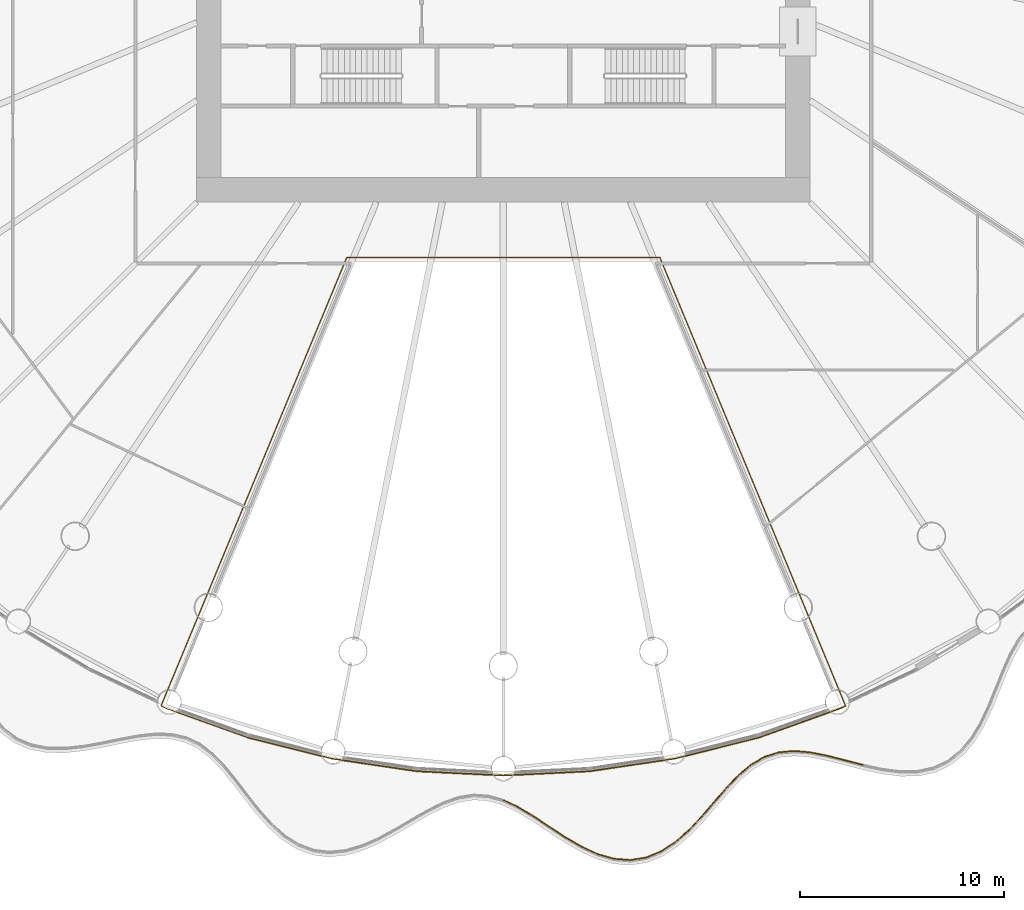
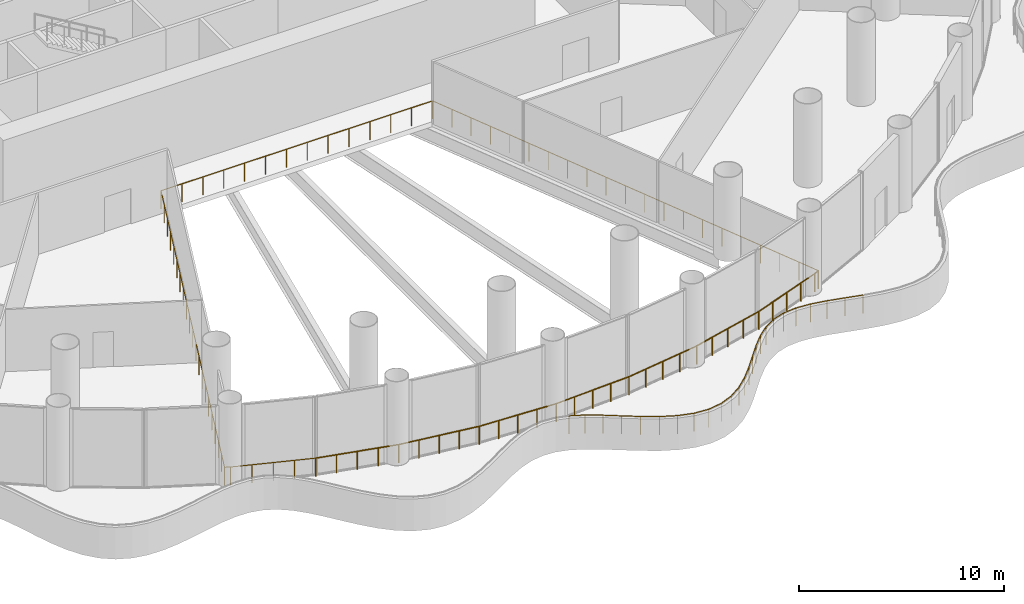
# One storey, part 30 of 36: 3 railings.
"""IFC4 building model written with IfcOpenShell, lengths in metres."""

from ifc_helpers import new_model, si_unit, direction, frame, origin, origin_2d, place, context, subcontext, project, spatial, circle, extrude, material, type_object, element, save


model = new_model("IFC4")

# Units and contexts
model_context = context("Model", 3, precision=1e-05, world=origin(), true_north=direction((0.0, 1.0)))
body_context = subcontext(model_context, "Body", "Model", "MODEL_VIEW")
ifc_project = project(units=[si_unit("LENGTHUNIT", "METRE"), si_unit("AREAUNIT", "SQUARE_METRE"), si_unit("VOLUMEUNIT", "CUBIC_METRE"), si_unit("PLANEANGLEUNIT", "RADIAN"), si_unit("MASSUNIT", "GRAM", prefix="KILO")], contexts=[model_context])

# Site, building, storey
site_placement = place(None, origin())
site = spatial("IfcSite", under=ifc_project, at=site_placement, CompositionType="ELEMENT")
building_placement = place(site_placement, origin())
building = spatial("IfcBuilding", under=site, at=building_placement, Name="Corvane Civic Tower", CompositionType="ELEMENT")
storey_placement = place(building_placement, frame((0.0, 0.0, 17.0)))
storey = spatial("IfcBuildingStorey", under=building, at=storey_placement, Name="L03", CompositionType="ELEMENT", Elevation=17.0)

# Railings
ifc_material_1 = material(Name="Steel ASTM A572 Gr 50", Category="steel")
railing_type_1 = type_object("IfcRailingType", Name="PODIUM-RL-GUARD-1100", PredefinedType="GUARDRAIL", material=ifc_material_1)
railing_1_placement = place(storey_placement, frame((0.022705078125, -44.261962890625, 0.0)))
element("IfcRailing", 1, at=railing_1_placement, inside=storey, type_object=railing_type_1, Name="L03 ribbon guard 9", PredefinedType="GUARDRAIL", context=body_context, shape_type="SweptSolid", body=[
    extrude(circle(Radius=0.02392578125, at=origin_2d()), frame((0.0, 0.0, 1.076171875), z_axis=(0.904556619747, -0.42635351725, 0.0), x_axis=(0.42635351725, 0.904556619747, 0.0)), (0.0, 0.0, 1.0), 0.78173828125),
    extrude(circle(Radius=0.02392578125, at=origin_2d()), frame((0.70703125, -0.333251953125, 1.076171875), z_axis=(0.857071265822, -0.515197870048, 0.0), x_axis=(0.515197870048, 0.857071265822, 0.0)), (0.0, 0.0, 1.0), 0.869140625),
    extrude(circle(Radius=0.02392578125, at=origin_2d()), frame((1.451904296875, -0.781005859375, 1.076171875), z_axis=(0.833278542405, -0.552853389939, 0.0), x_axis=(0.552853389939, 0.833278542405, 0.0)), (0.0, 0.0, 1.0), 0.915771484375),
    extrude(circle(Radius=0.02392578125, at=origin_2d()), frame((2.215087890625, -1.287353515625, 1.076171875), z_axis=(0.835928065032, -0.548839020198, 0.0), x_axis=(0.548839020198, 0.835928065032, 0.0)), (0.0, 0.0, 1.0), 0.9345703125),
    extrude(circle(Radius=0.02392578125, at=origin_2d()), frame((2.996337890625, -1.80029296875, 1.076171875), z_axis=(0.863000398501, -0.505203238497, 0.0), x_axis=(0.505203238497, 0.863000398501, 0.0)), (0.0, 0.0, 1.0), 0.922607421875),
    extrude(circle(Radius=0.02392578125, at=origin_2d()), frame((3.79248046875, -2.266357421875, 1.076171875), z_axis=(0.909047390124, -0.416692743529, 0.0), x_axis=(0.416692743529, 0.909047390124, 0.0)), (0.0, 0.0, 1.0), 0.884033203125),
    extrude(circle(Radius=0.02392578125, at=origin_2d()), frame((4.59619140625, -2.634765625, 1.076171875), z_axis=(0.96138033596, -0.275223272327, 0.0), x_axis=(0.275223272327, 0.96138033596, 0.0)), (0.0, 0.0, 1.0), 0.834716796875),
    extrude(circle(Radius=0.02392578125, at=origin_2d()), frame((5.398681640625, -2.864501953125, 1.076171875), z_axis=(0.997036356128, -0.076931817602, 0.0), x_axis=(0.076931817602, 0.997036356128, 0.0)), (0.0, 0.0, 1.0), 0.79345703125),
    extrude(circle(Radius=0.02392578125, at=origin_2d()), frame((6.189697265625, -2.925537109375, 1.076171875), z_axis=(0.987740079957, 0.156107445198, 0.0), x_axis=(-0.156107445198, 0.987740079957, 0.0)), (0.0, 0.0, 1.0), 0.77880859375),
    extrude(circle(Radius=0.02392578125, at=origin_2d()), frame((6.958984375, -2.803955078125, 1.076171875), z_axis=(0.925945868411, 0.377656257426, 0.0), x_axis=(-0.377656257426, 0.925945868411, 0.0)), (0.0, 0.0, 1.0), 0.79833984375),
    extrude(circle(Radius=0.02392578125, at=origin_2d()), frame((7.6982421875, -2.50244140625, 1.076171875), z_axis=(0.835511617619, 0.549472780786, 0.0), x_axis=(-0.549472780786, 0.835511617619, 0.0)), (0.0, 0.0, 1.0), 0.842529296875),
    extrude(circle(Radius=0.02392578125, at=origin_2d()), frame((8.402099609375, -2.03955078125, 1.076171875), z_axis=(0.748797877953, 0.662798414281, 0.0), x_axis=(-0.662798414281, 0.748797877953, 0.0)), (0.0, 0.0, 1.0), 0.891357421875),
    extrude(circle(Radius=0.02392578125, at=origin_2d()), frame((9.069580078125, -1.44873046875, 1.076171875), z_axis=(0.684896018256, 0.72864081973, 0.0), x_axis=(-0.72864081973, 0.684896018256, 0.0)), (0.0, 0.0, 1.0), 0.926513671875),
    extrude(circle(Radius=0.02392578125, at=origin_2d()), frame((9.7041015625, -0.773681640625, 1.076171875), z_axis=(0.652039268828, 0.758185196312, 0.0), x_axis=(-0.758185196312, 0.652039268828, 0.0)), (0.0, 0.0, 1.0), 0.933837890625),
    extrude(circle(Radius=0.02392578125, at=origin_2d()), frame((10.31298828125, -0.065673828125, 1.076171875), z_axis=(0.654297095356, 0.756237602218, 0.0), x_axis=(-0.756237602218, 0.654297095356, 0.0)), (0.0, 0.0, 1.0), 0.91015625),
    extrude(circle(Radius=0.02392578125, at=origin_2d()), frame((10.908447265625, 0.62255859375, 1.076171875), z_axis=(0.693057647536, 0.720882165955, 0.0), x_axis=(-0.720882165955, 0.693057647536, 0.0)), (0.0, 0.0, 1.0), 0.85986328125),
    extrude(circle(Radius=0.02392578125, at=origin_2d()), frame((11.50439453125, 1.242431640625, 1.076171875), z_axis=(0.768246397082, 0.640154257481, 0.0), x_axis=(-0.640154257481, 0.768246397082, 0.0)), (0.0, 0.0, 1.0), 0.796630859375),
    extrude(circle(Radius=0.02392578125, at=origin_2d()), frame((12.116455078125, 1.75244140625, 1.076171875), z_axis=(0.865928333736, 0.500168092579, 0.0), x_axis=(-0.500168092579, 0.865928333736, 0.0)), (0.0, 0.0, 1.0), 0.742919921875),
    extrude(circle(Radius=0.02392578125, at=origin_2d()), frame((12.759765625, 2.1240234375, 1.076171875), z_axis=(0.952671741947, 0.304000908049, 0.0), x_axis=(-0.304000908049, 0.952671741947, 0.0)), (0.0, 0.0, 1.0), 0.720458984375),
    extrude(circle(Radius=0.02392578125, at=origin_2d()), frame((13.446044921875, 2.343017578125, 1.076171875), z_axis=(0.995671475827, 0.09294252108, 0.0), x_axis=(-0.09294252108, 0.995671475827, 0.0)), (0.0, 0.0, 1.0), 0.74072265625),
    extrude(circle(Radius=0.02392578125, at=origin_2d()), frame((14.18359375, 2.411865234375, 1.076171875), z_axis=(0.996719662281, -0.080931544051, 0.0), x_axis=(0.080931544051, 0.996719662281, 0.0)), (0.0, 0.0, 1.0), 0.79345703125),
    extrude(circle(Radius=0.02392578125, at=origin_2d()), frame((14.974365234375, 2.34765625, 1.076171875), z_axis=(0.981157277714, -0.193210756401, 0.0), x_axis=(0.193210756401, 0.981157277714, 0.0)), (0.0, 0.0, 1.0), 0.856689453125),
    extrude(circle(Radius=0.02392578125, at=origin_2d()), frame((15.81494140625, 2.18212890625, 1.076171875), z_axis=(0.968928678402, -0.247340284165, 0.0), x_axis=(0.247340284165, 0.968928678402, 0.0)), (0.0, 0.0, 1.0), 0.908203125),
    extrude(circle(Radius=0.02392578125, at=origin_2d()), frame((16.69482421875, 1.95751953125, 1.076171875), z_axis=(0.967625834901, -0.252389071937, 0.0), x_axis=(0.252389071937, 0.967625834901, 0.0)), (0.0, 0.0, 1.0), 0.908203125),
    extrude(circle(Radius=0.02099609375, at=origin_2d()), origin(), (0.0, 0.0, 1.0), 1.052001953125),
    extrude(circle(Radius=0.02099609375, at=origin_2d()), frame((0.70703125, -0.333251953125, 0.0)), (0.0, 0.0, 1.0), 1.052001953125),
    extrude(circle(Radius=0.02099609375, at=origin_2d()), frame((1.451904296875, -0.781005859375, 0.0)), (0.0, 0.0, 1.0), 1.052001953125),
    extrude(circle(Radius=0.02099609375, at=origin_2d()), frame((2.215087890625, -1.287353515625, 0.0)), (0.0, 0.0, 1.0), 1.052001953125),
    extrude(circle(Radius=0.02099609375, at=origin_2d()), frame((2.996337890625, -1.80029296875, 0.0)), (0.0, 0.0, 1.0), 1.052001953125),
    extrude(circle(Radius=0.02099609375, at=origin_2d()), frame((3.79248046875, -2.266357421875, 0.0)), (0.0, 0.0, 1.0), 1.052001953125),
    extrude(circle(Radius=0.02099609375, at=origin_2d()), frame((4.59619140625, -2.634765625, 0.0)), (0.0, 0.0, 1.0), 1.052001953125),
    extrude(circle(Radius=0.02099609375, at=origin_2d()), frame((5.398681640625, -2.864501953125, 0.0)), (0.0, 0.0, 1.0), 1.052001953125),
    extrude(circle(Radius=0.02099609375, at=origin_2d()), frame((6.189697265625, -2.925537109375, 0.0)), (0.0, 0.0, 1.0), 1.052001953125),
    extrude(circle(Radius=0.02099609375, at=origin_2d()), frame((6.958984375, -2.803955078125, 0.0)), (0.0, 0.0, 1.0), 1.052001953125),
    extrude(circle(Radius=0.02099609375, at=origin_2d()), frame((7.6982421875, -2.50244140625, 0.0)), (0.0, 0.0, 1.0), 1.052001953125),
    extrude(circle(Radius=0.02099609375, at=origin_2d()), frame((8.402099609375, -2.03955078125, 0.0)), (0.0, 0.0, 1.0), 1.052001953125),
    extrude(circle(Radius=0.02099609375, at=origin_2d()), frame((9.069580078125, -1.44873046875, 0.0)), (0.0, 0.0, 1.0), 1.052001953125),
    extrude(circle(Radius=0.02099609375, at=origin_2d()), frame((9.7041015625, -0.773681640625, 0.0)), (0.0, 0.0, 1.0), 1.052001953125),
    extrude(circle(Radius=0.02099609375, at=origin_2d()), frame((10.31298828125, -0.065673828125, 0.0)), (0.0, 0.0, 1.0), 1.052001953125),
    extrude(circle(Radius=0.02099609375, at=origin_2d()), frame((10.908447265625, 0.62255859375, 0.0)), (0.0, 0.0, 1.0), 1.052001953125),
    extrude(circle(Radius=0.02099609375, at=origin_2d()), frame((11.50439453125, 1.242431640625, 0.0)), (0.0, 0.0, 1.0), 1.052001953125),
    extrude(circle(Radius=0.02099609375, at=origin_2d()), frame((12.116455078125, 1.75244140625, 0.0)), (0.0, 0.0, 1.0), 1.052001953125),
    extrude(circle(Radius=0.02099609375, at=origin_2d()), frame((12.759765625, 2.1240234375, 0.0)), (0.0, 0.0, 1.0), 1.052001953125),
    extrude(circle(Radius=0.02099609375, at=origin_2d()), frame((13.446044921875, 2.343017578125, 0.0)), (0.0, 0.0, 1.0), 1.052001953125),
    extrude(circle(Radius=0.02099609375, at=origin_2d()), frame((14.18359375, 2.411865234375, 0.0)), (0.0, 0.0, 1.0), 1.052001953125),
    extrude(circle(Radius=0.02099609375, at=origin_2d()), frame((14.974365234375, 2.34765625, 0.0)), (0.0, 0.0, 1.0), 1.052001953125),
    extrude(circle(Radius=0.02099609375, at=origin_2d()), frame((15.81494140625, 2.18212890625, 0.0)), (0.0, 0.0, 1.0), 1.052001953125),
    extrude(circle(Radius=0.02099609375, at=origin_2d()), frame((16.69482421875, 1.95751953125, 0.0)), (0.0, 0.0, 1.0), 1.052001953125),
    extrude(circle(Radius=0.02099609375, at=origin_2d()), frame((17.57373046875, 1.728271484375, 0.0)), (0.0, 0.0, 1.0), 1.052001953125),
])
ifc_material_2 = material(Name="Steel ASTM A572 Gr 50", Category="steel")
railing_type_2 = type_object("IfcRailingType", Name="Void edge guard 1100", PredefinedType="GUARDRAIL", material=ifc_material_2)
railing_2_placement = place(storey_placement, frame((16.74609375, -39.64501953125, 0.0)))
element("IfcRailing", 2, at=railing_2_placement, inside=storey, type_object=railing_type_2, Name="Guard L03.V01", PredefinedType="GUARDRAIL", context=body_context, shape_type="SweptSolid", body=[
    extrude(circle(Radius=0.02392578125, at=origin_2d()), frame((0.0, 0.0, 1.076171875), z_axis=(-0.904283532001, -0.426932422932, 0.0), x_axis=(0.426932422932, -0.904283532001, 0.0)), (0.0, 0.0, 1.0), 0.30029296875),
    extrude(circle(Radius=0.02392578125, at=origin_2d()), frame((-0.271484375, -0.128173828125, 1.076171875), z_axis=(-0.941539090598, -0.336903756103, 0.0), x_axis=(0.336903756103, -0.941539090598, 0.0)), (0.0, 0.0, 1.0), 4.224853515625),
    extrude(circle(Radius=0.02392578125, at=origin_2d()), frame((-4.249267578125, -1.551513671875, 1.076171875), z_axis=(-0.970026814299, -0.242997900282, 0.0), x_axis=(0.242997900282, -0.970026814299, 0.0)), (0.0, 0.0, 1.0), 4.224853515625),
    extrude(circle(Radius=0.02392578125, at=origin_2d()), frame((-8.347412109375, -2.578125, 1.076171875), z_axis=(-0.989178316778, -0.146718293393, 0.0), x_axis=(0.146718293393, -0.989178316778, 0.0)), (0.0, 0.0, 1.0), 4.224853515625),
    extrude(circle(Radius=0.02392578125, at=origin_2d()), frame((-12.526611328125, -3.197998046875, 1.076171875), z_axis=(-0.998795624277, -0.049064253024, 0.0), x_axis=(0.049064253024, -0.998795624277, 0.0)), (0.0, 0.0, 1.0), 4.224609375),
    extrude(circle(Radius=0.02392578125, at=origin_2d()), frame((-16.74609375, -3.4052734375, 1.076171875), z_axis=(-0.998795624277, 0.049064253024, 0.0), x_axis=(-0.049064253024, -0.998795624277, 0.0)), (0.0, 0.0, 1.0), 4.224609375),
    extrude(circle(Radius=0.02392578125, at=origin_2d()), frame((-20.965576171875, -3.197998046875, 1.076171875), z_axis=(-0.989178316778, 0.146718293393, 0.0), x_axis=(-0.146718293393, -0.989178316778, 0.0)), (0.0, 0.0, 1.0), 4.224853515625),
    extrude(circle(Radius=0.02392578125, at=origin_2d()), frame((-25.144775390625, -2.578125, 1.076171875), z_axis=(-0.970026814299, 0.242997900282, 0.0), x_axis=(-0.242997900282, -0.970026814299, 0.0)), (0.0, 0.0, 1.0), 4.224853515625),
    extrude(circle(Radius=0.02099609375, at=origin_2d()), origin(), (0.0, 0.0, 1.0), 1.052001953125),
    extrude(circle(Radius=0.02099609375, at=origin_2d()), frame((-0.271484375, -0.128173828125, 0.0)), (0.0, 0.0, 1.0), 1.052001953125),
    extrude(circle(Radius=0.02099609375, at=origin_2d()), frame((-1.265869140625, -0.48388671875, 0.0)), (0.0, 0.0, 1.0), 1.052001953125),
    extrude(circle(Radius=0.02099609375, at=origin_2d()), frame((-2.26025390625, -0.83984375, 0.0)), (0.0, 0.0, 1.0), 1.052001953125),
    extrude(circle(Radius=0.02099609375, at=origin_2d()), frame((-3.2548828125, -1.19580078125, 0.0)), (0.0, 0.0, 1.0), 1.052001953125),
    extrude(circle(Radius=0.02099609375, at=origin_2d()), frame((-4.249267578125, -1.551513671875, 0.0)), (0.0, 0.0, 1.0), 1.052001953125),
    extrude(circle(Radius=0.02099609375, at=origin_2d()), frame((-5.27392578125, -1.80810546875, 0.0)), (0.0, 0.0, 1.0), 1.052001953125),
    extrude(circle(Radius=0.02099609375, at=origin_2d()), frame((-6.29833984375, -2.06494140625, 0.0)), (0.0, 0.0, 1.0), 1.052001953125),
    extrude(circle(Radius=0.02099609375, at=origin_2d()), frame((-7.32275390625, -2.321533203125, 0.0)), (0.0, 0.0, 1.0), 1.052001953125),
    extrude(circle(Radius=0.02099609375, at=origin_2d()), frame((-8.347412109375, -2.578125, 0.0)), (0.0, 0.0, 1.0), 1.052001953125),
    extrude(circle(Radius=0.02099609375, at=origin_2d()), frame((-9.39208984375, -2.733154296875, 0.0)), (0.0, 0.0, 1.0), 1.052001953125),
    extrude(circle(Radius=0.02099609375, at=origin_2d()), frame((-10.43701171875, -2.88818359375, 0.0)), (0.0, 0.0, 1.0), 1.052001953125),
    extrude(circle(Radius=0.02099609375, at=origin_2d()), frame((-11.48193359375, -3.04296875, 0.0)), (0.0, 0.0, 1.0), 1.052001953125),
    extrude(circle(Radius=0.02099609375, at=origin_2d()), frame((-12.526611328125, -3.197998046875, 0.0)), (0.0, 0.0, 1.0), 1.052001953125),
    extrude(circle(Radius=0.02099609375, at=origin_2d()), frame((-13.58154296875, -3.249755859375, 0.0)), (0.0, 0.0, 1.0), 1.052001953125),
    extrude(circle(Radius=0.02099609375, at=origin_2d()), frame((-14.63623046875, -3.3017578125, 0.0)), (0.0, 0.0, 1.0), 1.052001953125),
    extrude(circle(Radius=0.02099609375, at=origin_2d()), frame((-15.691162109375, -3.353515625, 0.0)), (0.0, 0.0, 1.0), 1.052001953125),
    extrude(circle(Radius=0.02099609375, at=origin_2d()), frame((-16.74609375, -3.4052734375, 0.0)), (0.0, 0.0, 1.0), 1.052001953125),
    extrude(circle(Radius=0.02099609375, at=origin_2d()), frame((-17.801025390625, -3.353515625, 0.0)), (0.0, 0.0, 1.0), 1.052001953125),
    extrude(circle(Radius=0.02099609375, at=origin_2d()), frame((-18.85595703125, -3.3017578125, 0.0)), (0.0, 0.0, 1.0), 1.052001953125),
    extrude(circle(Radius=0.02099609375, at=origin_2d()), frame((-19.91064453125, -3.249755859375, 0.0)), (0.0, 0.0, 1.0), 1.052001953125),
    extrude(circle(Radius=0.02099609375, at=origin_2d()), frame((-20.965576171875, -3.197998046875, 0.0)), (0.0, 0.0, 1.0), 1.052001953125),
    extrude(circle(Radius=0.02099609375, at=origin_2d()), frame((-22.01025390625, -3.04296875, 0.0)), (0.0, 0.0, 1.0), 1.052001953125),
    extrude(circle(Radius=0.02099609375, at=origin_2d()), frame((-23.05517578125, -2.88818359375, 0.0)), (0.0, 0.0, 1.0), 1.052001953125),
    extrude(circle(Radius=0.02099609375, at=origin_2d()), frame((-24.10009765625, -2.733154296875, 0.0)), (0.0, 0.0, 1.0), 1.052001953125),
    extrude(circle(Radius=0.02099609375, at=origin_2d()), frame((-25.144775390625, -2.578125, 0.0)), (0.0, 0.0, 1.0), 1.052001953125),
    extrude(circle(Radius=0.02099609375, at=origin_2d()), frame((-26.16943359375, -2.321533203125, 0.0)), (0.0, 0.0, 1.0), 1.052001953125),
    extrude(circle(Radius=0.02099609375, at=origin_2d()), frame((-27.19384765625, -2.06494140625, 0.0)), (0.0, 0.0, 1.0), 1.052001953125),
    extrude(circle(Radius=0.02099609375, at=origin_2d()), frame((-28.21826171875, -1.80810546875, 0.0)), (0.0, 0.0, 1.0), 1.052001953125),
    extrude(circle(Radius=0.02099609375, at=origin_2d()), frame((-29.242919921875, -1.551513671875, 0.0)), (0.0, 0.0, 1.0), 1.052001953125),
])
railing_3_placement = place(storey_placement, frame((-12.496826171875, -41.196533203125, 0.0)))
element("IfcRailing", 3, at=railing_3_placement, inside=storey, type_object=railing_type_2, Name="Guard L03.V02", PredefinedType="GUARDRAIL", context=body_context, shape_type="SweptSolid", body=[
    extrude(circle(Radius=0.02392578125, at=origin_2d()), frame((0.0, 0.0, 1.076171875), z_axis=(-0.941539090598, 0.336903756103, 0.0), x_axis=(-0.336903756103, -0.941539090598, 0.0)), (0.0, 0.0, 1.0), 4.224853515625),
    extrude(circle(Radius=0.02392578125, at=origin_2d()), frame((-3.977783203125, 1.42333984375, 1.076171875), z_axis=(-0.904283532001, 0.426932422932, 0.0), x_axis=(-0.426932422932, -0.904283532001, 0.0)), (0.0, 0.0, 1.0), 0.30029296875),
    extrude(circle(Radius=0.02392578125, at=origin_2d()), frame((-4.249267578125, 1.551513671875, 1.076171875), z_axis=(0.382679796106, 0.923881038691, 0.0), x_axis=(-0.923881038691, 0.382679796106, 0.0)), (0.0, 0.0, 1.0), 23.753173828125),
    extrude(circle(Radius=0.02392578125, at=origin_2d()), frame((4.840576171875, 23.49658203125, 1.076171875), z_axis=(1.0, 0.0, 0.0), x_axis=(0.0, 1.0, 0.0)), (0.0, 0.0, 1.0), 15.3125),
    extrude(circle(Radius=0.02392578125, at=origin_2d()), frame((20.153076171875, 23.49658203125, 1.076171875), z_axis=(0.382679796106, -0.923881038691, 0.0), x_axis=(0.923881038691, 0.382679796106, 0.0)), (0.0, 0.0, 1.0), 23.753173828125),
    extrude(circle(Radius=0.02099609375, at=origin_2d()), origin(), (0.0, 0.0, 1.0), 1.052001953125),
    extrude(circle(Radius=0.02099609375, at=origin_2d()), frame((-0.994384765625, 0.35595703125, 0.0)), (0.0, 0.0, 1.0), 1.052001953125),
    extrude(circle(Radius=0.02099609375, at=origin_2d()), frame((-1.98876953125, 0.711669921875, 0.0)), (0.0, 0.0, 1.0), 1.052001953125),
    extrude(circle(Radius=0.02099609375, at=origin_2d()), frame((-2.9833984375, 1.0673828125, 0.0)), (0.0, 0.0, 1.0), 1.052001953125),
    extrude(circle(Radius=0.02099609375, at=origin_2d()), frame((-3.977783203125, 1.42333984375, 0.0)), (0.0, 0.0, 1.0), 1.052001953125),
    extrude(circle(Radius=0.02099609375, at=origin_2d()), frame((-4.249267578125, 1.551513671875, 0.0)), (0.0, 0.0, 1.0), 1.052001953125),
    extrude(circle(Radius=0.02099609375, at=origin_2d()), frame((-3.794677734375, 2.648681640625, 0.0)), (0.0, 0.0, 1.0), 1.052001953125),
    extrude(circle(Radius=0.02099609375, at=origin_2d()), frame((-3.34033203125, 3.74609375, 0.0)), (0.0, 0.0, 1.0), 1.052001953125),
    extrude(circle(Radius=0.02099609375, at=origin_2d()), frame((-2.8857421875, 4.84326171875, 0.0)), (0.0, 0.0, 1.0), 1.052001953125),
    extrude(circle(Radius=0.02099609375, at=origin_2d()), frame((-2.431396484375, 5.9404296875, 0.0)), (0.0, 0.0, 1.0), 1.052001953125),
    extrude(circle(Radius=0.02099609375, at=origin_2d()), frame((-1.976806640625, 7.037841796875, 0.0)), (0.0, 0.0, 1.0), 1.052001953125),
    extrude(circle(Radius=0.02099609375, at=origin_2d()), frame((-1.522216796875, 8.135009765625, 0.0)), (0.0, 0.0, 1.0), 1.052001953125),
    extrude(circle(Radius=0.02099609375, at=origin_2d()), frame((-1.06787109375, 9.232177734375, 0.0)), (0.0, 0.0, 1.0), 1.052001953125),
    extrude(circle(Radius=0.02099609375, at=origin_2d()), frame((-0.61328125, 10.32958984375, 0.0)), (0.0, 0.0, 1.0), 1.052001953125),
    extrude(circle(Radius=0.02099609375, at=origin_2d()), frame((-0.158935546875, 11.4267578125, 0.0)), (0.0, 0.0, 1.0), 1.052001953125),
    extrude(circle(Radius=0.02099609375, at=origin_2d()), frame((0.295654296875, 12.52392578125, 0.0)), (0.0, 0.0, 1.0), 1.052001953125),
    extrude(circle(Radius=0.02099609375, at=origin_2d()), frame((0.750244140625, 13.621337890625, 0.0)), (0.0, 0.0, 1.0), 1.052001953125),
    extrude(circle(Radius=0.02099609375, at=origin_2d()), frame((1.20458984375, 14.718505859375, 0.0)), (0.0, 0.0, 1.0), 1.052001953125),
    extrude(circle(Radius=0.02099609375, at=origin_2d()), frame((1.6591796875, 15.81591796875, 0.0)), (0.0, 0.0, 1.0), 1.052001953125),
    extrude(circle(Radius=0.02099609375, at=origin_2d()), frame((2.113525390625, 16.9130859375, 0.0)), (0.0, 0.0, 1.0), 1.052001953125),
    extrude(circle(Radius=0.02099609375, at=origin_2d()), frame((2.568115234375, 18.01025390625, 0.0)), (0.0, 0.0, 1.0), 1.052001953125),
    extrude(circle(Radius=0.02099609375, at=origin_2d()), frame((3.022705078125, 19.107666015625, 0.0)), (0.0, 0.0, 1.0), 1.052001953125),
    extrude(circle(Radius=0.02099609375, at=origin_2d()), frame((3.47705078125, 20.204833984375, 0.0)), (0.0, 0.0, 1.0), 1.052001953125),
    extrude(circle(Radius=0.02099609375, at=origin_2d()), frame((3.931640625, 21.302001953125, 0.0)), (0.0, 0.0, 1.0), 1.052001953125),
    extrude(circle(Radius=0.02099609375, at=origin_2d()), frame((4.385986328125, 22.3994140625, 0.0)), (0.0, 0.0, 1.0), 1.052001953125),
    extrude(circle(Radius=0.02099609375, at=origin_2d()), frame((4.840576171875, 23.49658203125, 0.0)), (0.0, 0.0, 1.0), 1.052001953125),
    extrude(circle(Radius=0.02099609375, at=origin_2d()), frame((6.0185546875, 23.49658203125, 0.0)), (0.0, 0.0, 1.0), 1.052001953125),
    extrude(circle(Radius=0.02099609375, at=origin_2d()), frame((7.1962890625, 23.49658203125, 0.0)), (0.0, 0.0, 1.0), 1.052001953125),
    extrude(circle(Radius=0.02099609375, at=origin_2d()), frame((8.374267578125, 23.49658203125, 0.0)), (0.0, 0.0, 1.0), 1.052001953125),
    extrude(circle(Radius=0.02099609375, at=origin_2d()), frame((9.552001953125, 23.49658203125, 0.0)), (0.0, 0.0, 1.0), 1.052001953125),
    extrude(circle(Radius=0.02099609375, at=origin_2d()), frame((10.72998046875, 23.49658203125, 0.0)), (0.0, 0.0, 1.0), 1.052001953125),
    extrude(circle(Radius=0.02099609375, at=origin_2d()), frame((11.907958984375, 23.49658203125, 0.0)), (0.0, 0.0, 1.0), 1.052001953125),
    extrude(circle(Radius=0.02099609375, at=origin_2d()), frame((13.085693359375, 23.49658203125, 0.0)), (0.0, 0.0, 1.0), 1.052001953125),
    extrude(circle(Radius=0.02099609375, at=origin_2d()), frame((14.263671875, 23.49658203125, 0.0)), (0.0, 0.0, 1.0), 1.052001953125),
    extrude(circle(Radius=0.02099609375, at=origin_2d()), frame((15.441650390625, 23.49658203125, 0.0)), (0.0, 0.0, 1.0), 1.052001953125),
    extrude(circle(Radius=0.02099609375, at=origin_2d()), frame((16.619384765625, 23.49658203125, 0.0)), (0.0, 0.0, 1.0), 1.052001953125),
    extrude(circle(Radius=0.02099609375, at=origin_2d()), frame((17.79736328125, 23.49658203125, 0.0)), (0.0, 0.0, 1.0), 1.052001953125),
    extrude(circle(Radius=0.02099609375, at=origin_2d()), frame((18.97509765625, 23.49658203125, 0.0)), (0.0, 0.0, 1.0), 1.052001953125),
    extrude(circle(Radius=0.02099609375, at=origin_2d()), frame((20.153076171875, 23.49658203125, 0.0)), (0.0, 0.0, 1.0), 1.052001953125),
    extrude(circle(Radius=0.02099609375, at=origin_2d()), frame((20.607666015625, 22.3994140625, 0.0)), (0.0, 0.0, 1.0), 1.052001953125),
    extrude(circle(Radius=0.02099609375, at=origin_2d()), frame((21.06201171875, 21.302001953125, 0.0)), (0.0, 0.0, 1.0), 1.052001953125),
    extrude(circle(Radius=0.02099609375, at=origin_2d()), frame((21.5166015625, 20.204833984375, 0.0)), (0.0, 0.0, 1.0), 1.052001953125),
    extrude(circle(Radius=0.02099609375, at=origin_2d()), frame((21.970947265625, 19.107666015625, 0.0)), (0.0, 0.0, 1.0), 1.052001953125),
    extrude(circle(Radius=0.02099609375, at=origin_2d()), frame((22.425537109375, 18.01025390625, 0.0)), (0.0, 0.0, 1.0), 1.052001953125),
    extrude(circle(Radius=0.02099609375, at=origin_2d()), frame((22.880126953125, 16.9130859375, 0.0)), (0.0, 0.0, 1.0), 1.052001953125),
    extrude(circle(Radius=0.02099609375, at=origin_2d()), frame((23.33447265625, 15.81591796875, 0.0)), (0.0, 0.0, 1.0), 1.052001953125),
    extrude(circle(Radius=0.02099609375, at=origin_2d()), frame((23.7890625, 14.718505859375, 0.0)), (0.0, 0.0, 1.0), 1.052001953125),
    extrude(circle(Radius=0.02099609375, at=origin_2d()), frame((24.243408203125, 13.621337890625, 0.0)), (0.0, 0.0, 1.0), 1.052001953125),
    extrude(circle(Radius=0.02099609375, at=origin_2d()), frame((24.697998046875, 12.52392578125, 0.0)), (0.0, 0.0, 1.0), 1.052001953125),
    extrude(circle(Radius=0.02099609375, at=origin_2d()), frame((25.152587890625, 11.4267578125, 0.0)), (0.0, 0.0, 1.0), 1.052001953125),
    extrude(circle(Radius=0.02099609375, at=origin_2d()), frame((25.60693359375, 10.32958984375, 0.0)), (0.0, 0.0, 1.0), 1.052001953125),
    extrude(circle(Radius=0.02099609375, at=origin_2d()), frame((26.0615234375, 9.232177734375, 0.0)), (0.0, 0.0, 1.0), 1.052001953125),
    extrude(circle(Radius=0.02099609375, at=origin_2d()), frame((26.515869140625, 8.135009765625, 0.0)), (0.0, 0.0, 1.0), 1.052001953125),
    extrude(circle(Radius=0.02099609375, at=origin_2d()), frame((26.970458984375, 7.037841796875, 0.0)), (0.0, 0.0, 1.0), 1.052001953125),
    extrude(circle(Radius=0.02099609375, at=origin_2d()), frame((27.425048828125, 5.9404296875, 0.0)), (0.0, 0.0, 1.0), 1.052001953125),
    extrude(circle(Radius=0.02099609375, at=origin_2d()), frame((27.87939453125, 4.84326171875, 0.0)), (0.0, 0.0, 1.0), 1.052001953125),
    extrude(circle(Radius=0.02099609375, at=origin_2d()), frame((28.333984375, 3.74609375, 0.0)), (0.0, 0.0, 1.0), 1.052001953125),
    extrude(circle(Radius=0.02099609375, at=origin_2d()), frame((28.788330078125, 2.648681640625, 0.0)), (0.0, 0.0, 1.0), 1.052001953125),
    extrude(circle(Radius=0.02099609375, at=origin_2d()), frame((29.242919921875, 1.551513671875, 0.0)), (0.0, 0.0, 1.0), 1.052001953125),
])

save(model, "model.ifc")
